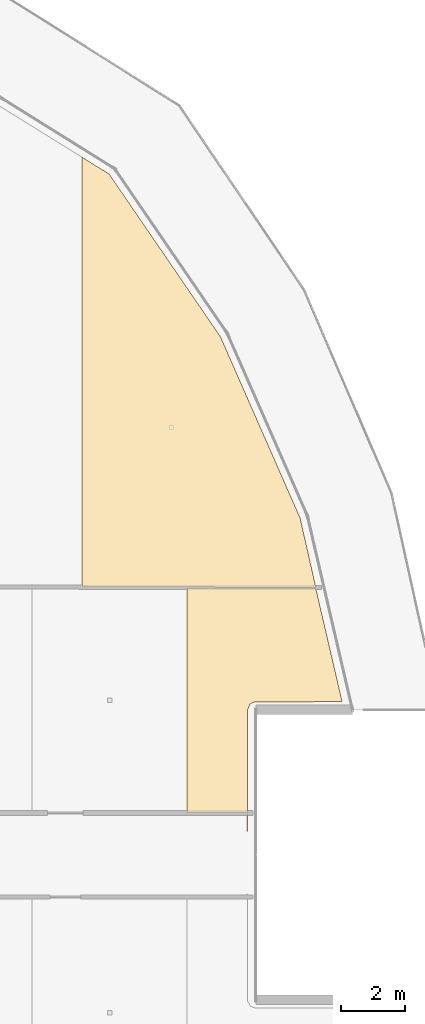
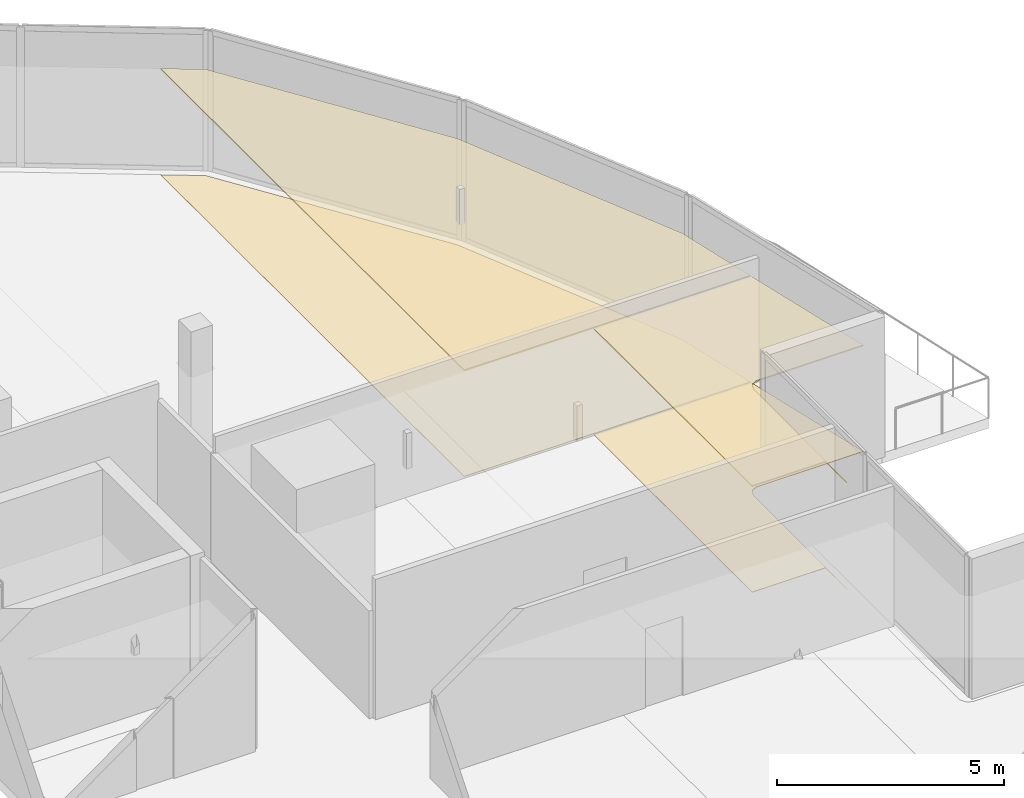
# One storey, part 37 of 37: 4 coverings.
"""IFC4 building model written with IfcOpenShell, lengths in metres."""

from ifc_helpers import new_model, si_unit, direction, frame, origin, place, context, subcontext, project, spatial, polyline, outline, extrude, material, layer, layer_set, type_object, element, save


model = new_model("IFC4")

# Units and contexts
model_context = context("Model", 3, precision=1e-05, world=origin(), true_north=direction((0.0, 1.0)))
body_context = subcontext(model_context, "Body", "Model", "MODEL_VIEW")
ifc_project = project(units=[si_unit("LENGTHUNIT", "METRE"), si_unit("AREAUNIT", "SQUARE_METRE"), si_unit("VOLUMEUNIT", "CUBIC_METRE"), si_unit("PLANEANGLEUNIT", "RADIAN"), si_unit("MASSUNIT", "GRAM", prefix="KILO")], contexts=[model_context])

# Site, building, storey
site_placement = place(None, origin())
site = spatial("IfcSite", under=ifc_project, at=site_placement, CompositionType="ELEMENT")
building_placement = place(site_placement, origin())
building = spatial("IfcBuilding", under=site, at=building_placement, Name="Qorvath Tower", CompositionType="ELEMENT")
storey_placement = place(building_placement, frame((0.0, 0.0, 196.949951171875)))
storey = spatial("IfcBuildingStorey", under=building, at=storey_placement, Name="L45", CompositionType="ELEMENT", Elevation=196.949951171875)

# Coverings
ifc_material_1 = material(Name="Acoustic mineral fibre ceiling tile", Category="gypsum")
ifc_layer_1 = layer(ifc_material_1, 0.030029296875)
ifc_layer_set_1 = layer_set([ifc_layer_1], Name="COV-CEIL")
covering_type_1 = type_object("IfcCoveringType", Name="COV-CEIL", PredefinedType="CEILING", material=ifc_layer_set_1)
covering_1_placement = place(storey_placement, frame((0.0, 0.0, 2.85009765625)))
element("IfcCovering", 1, at=covering_1_placement, inside=storey, type_object=covering_type_1, Name="L45 Suspended Acoustic Ceiling 019", PredefinedType="CEILING", context=body_context, shape_type="SweptSolid", body=[
    extrude(outline(polyline([(0.542724609375, 8.33837890625), (0.0537109375, 10.499267578125), (-2.42919921875, 16.149169921875), (-5.899169921875, 21.221435546875), (-6.749267578125, 21.748779296875), (-6.749267578125, 8.347412109375), (0.542724609375, 8.33837890625)])), origin(), (0.0, 0.0, 1.0), 0.030029296875),
])
covering_2_placement = place(storey_placement, frame((0.0, 0.0, 2.85009765625)))
element("IfcCovering", 2, at=covering_2_placement, inside=storey, type_object=covering_type_1, Name="L45 Suspended Acoustic Ceiling 033", PredefinedType="CEILING", context=body_context, shape_type="SweptSolid", body=[
    extrude(outline(polyline([(-1.50830078125, 4.700927734375), (-1.3779296875, 4.77001953125), (1.363037109375, 4.77490234375), (0.539306640625, 8.320556640625), (-3.47021484375, 8.325439453125), (-3.47021484375, 1.31298828125), (-1.60107421875, 1.31298828125), (-1.59033203125, 0.375), (-1.583984375, 4.519775390625), (-1.50830078125, 4.700927734375)])), origin(), (0.0, 0.0, 1.0), 0.030029296875),
])
ifc_material_2 = material(Name="Low-VOC modular carpet tile", Category="textile")
ifc_layer_2 = layer(ifc_material_2, 0.014892578125)
ifc_layer_set_2 = layer_set([ifc_layer_2], Name="COV-FLOOR-CPT")
covering_type_2 = type_object("IfcCoveringType", Name="COV-FLOOR-CPT", PredefinedType="FLOORING", material=ifc_layer_set_2)
covering_3_placement = place(storey_placement, origin())
element("IfcCovering", 3, at=covering_3_placement, inside=storey, type_object=covering_type_2, Name="L45 Floor Finish 019", PredefinedType="FLOORING", context=body_context, shape_type="SweptSolid", body=[
    extrude(outline(polyline([(0.542724609375, 8.33837890625), (0.0537109375, 10.499267578125), (-2.42919921875, 16.149169921875), (-5.899169921875, 21.221435546875), (-6.749267578125, 21.748779296875), (-6.749267578125, 8.347412109375), (0.542724609375, 8.33837890625)])), origin(), (0.0, 0.0, 1.0), 0.01513671875),
])
covering_4_placement = place(storey_placement, origin())
element("IfcCovering", 4, at=covering_4_placement, inside=storey, type_object=covering_type_2, Name="L45 Floor Finish 033", PredefinedType="FLOORING", context=body_context, shape_type="SweptSolid", body=[
    extrude(outline(polyline([(-1.50830078125, 4.700927734375), (-1.3779296875, 4.77001953125), (1.363037109375, 4.77490234375), (0.539306640625, 8.320556640625), (-3.47021484375, 8.325439453125), (-3.47021484375, 1.31298828125), (-1.60107421875, 1.31298828125), (-1.59033203125, 0.375), (-1.583984375, 4.519775390625), (-1.50830078125, 4.700927734375)])), origin(), (0.0, 0.0, 1.0), 0.01513671875),
])

save(model, "model.ifc")
